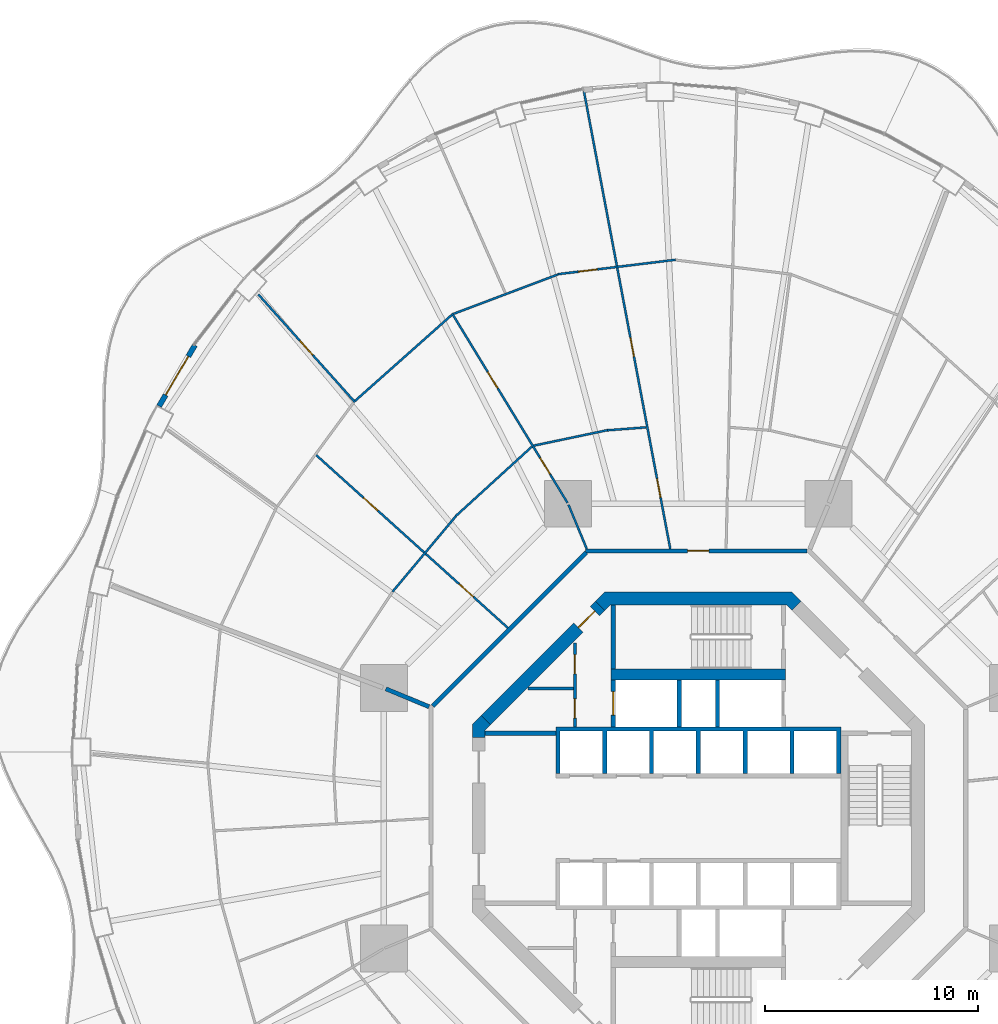
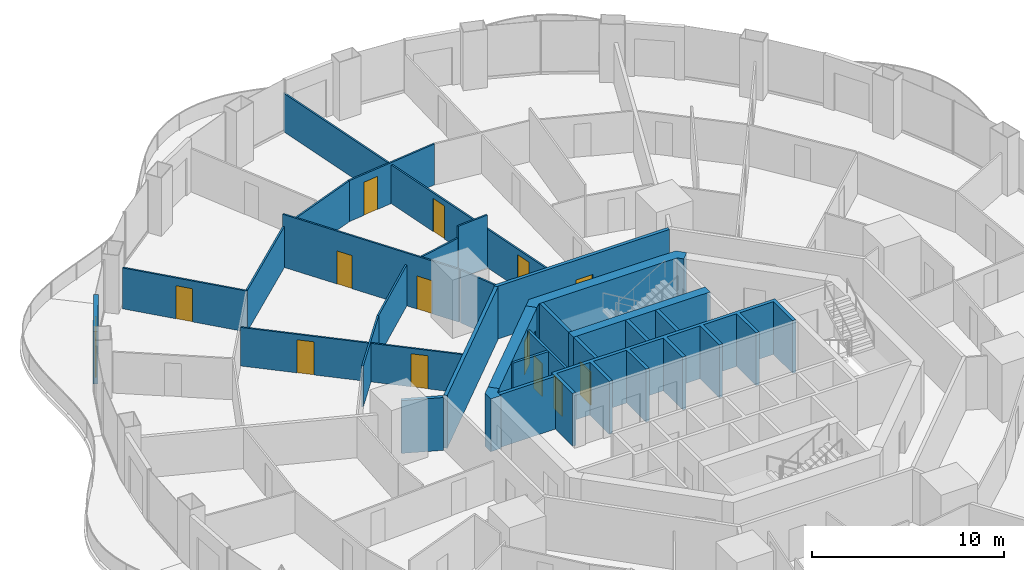
# One storey, part 18 of 23: 28 walls, 14 doors, 14 openings.
"""IFC4 building model written with IfcOpenShell, lengths in metres."""

from ifc_helpers import new_model, si_unit, direction, frame, frame_2d, origin, place, context, subcontext, project, spatial, polyline, rectangle, outline, extrude, material, layer, layer_set, type_object, element, fill, save


model = new_model("IFC4")

# Units and contexts
model_context = context("Model", 3, precision=1e-05, world=origin(), true_north=direction((0.0, 1.0)))
body_context = subcontext(model_context, "Body", "Model", "MODEL_VIEW")
ifc_project = project(units=[si_unit("LENGTHUNIT", "METRE"), si_unit("AREAUNIT", "SQUARE_METRE"), si_unit("VOLUMEUNIT", "CUBIC_METRE"), si_unit("PLANEANGLEUNIT", "RADIAN"), si_unit("MASSUNIT", "GRAM", prefix="KILO")], contexts=[model_context])

# Site, building, storey
site_placement = place(None, origin())
site = spatial("IfcSite", under=ifc_project, at=site_placement, CompositionType="ELEMENT")
building_placement = place(site_placement, origin())
building = spatial("IfcBuilding", under=site, at=building_placement, Name="Nagisa Residences", CompositionType="ELEMENT")
storey_placement = place(building_placement, frame((0.0, 0.0, 110.300048828125)))
storey = spatial("IfcBuildingStorey", under=building, at=storey_placement, Name="L27", CompositionType="ELEMENT", Elevation=110.300048828125)

# Wall
ifc_material_1 = material(Name="Gypsum board on steel studs", Category="steel")
ifc_layer_1 = layer(ifc_material_1, 0.199951171875)
ifc_layer_set_1 = layer_set([ifc_layer_1], Name="Apartment compartment wall EI60 200")
wall_type_1 = type_object("IfcWallType", Name="Apartment compartment wall EI60 200", PredefinedType="PARTITIONING", material=ifc_layer_set_1)
wall_1_placement = place(storey_placement, frame((-12.6572265625, 5.24267578125, 0.0), z_axis=(0.0, 0.0, 1.0), x_axis=(-0.923843626288, 0.382770106157, 0.0)))
element("IfcWall", 1, at=wall_1_placement, inside=storey, type_object=wall_type_1, Name="wall:L27:u02", PredefinedType="PARTITIONING", context=body_context, shape_type="SweptSolid", body=[
    extrude(rectangle(XDim=2.19921875, YDim=0.199951171875, at=frame_2d((1.099609375, 0.0))), origin(), (0.0, 0.0, 1.0), 3.349853515625),
])

# Wall, opening, door
ifc_material_2 = material(Name="Gypsum board on steel studs", Category="steel")
ifc_layer_2 = layer(ifc_material_2, 0.199951171875)
ifc_layer_set_2 = layer_set([ifc_layer_2], Name="Apartment entry wall EI60 200")
wall_type_2 = type_object("IfcWallType", Name="Apartment entry wall EI60 200", PredefinedType="PARTITIONING", material=ifc_layer_set_2)
wall_2_placement = place(storey_placement, frame((5.1044921875, 12.564697265625, 0.0), z_axis=(0.0, 0.0, 1.0), x_axis=(-1.0, 0.0, 0.0)))
wall_2 = element("IfcWall", 2, at=wall_2_placement, inside=storey, type_object=wall_type_2, Name="wall:L27:u10", PredefinedType="PARTITIONING", context=body_context, shape_type="SweptSolid", body=[
    extrude(rectangle(XDim=10.408935546875, YDim=0.199951171875, at=frame_2d((5.20458984375, 0.0))), origin(), (0.0, 0.0, 1.0), 3.349853515625),
])
opening_1_placement = place(wall_2_placement, frame((4.6044921875, 0.0, 0.0)))
opening_1 = element("IfcOpeningElement", 3, at=opening_1_placement, cuts=wall_2, Name="Opening L27-U25", PredefinedType="OPENING", context=body_context, shape_type="SweptSolid", body=[
    extrude(rectangle(XDim=1.0, YDim=2.10009765625, at=frame_2d((0.5, 1.050048828125))), frame((0.0, 0.10986328125, 0.0), z_axis=(0.0, -1.0, 0.0), x_axis=(1.0, 0.0, 0.0)), (0.0, 0.0, 1.0), 0.219970703125),
])
ifc_material_3 = material(Name="Timber fire door set", Category="wood")
door_type_1 = type_object("IfcDoorType", Name="Apartment entry door FD30S 1000x2100", OperationType="NOTDEFINED", PredefinedType="DOOR", material=ifc_material_3)
door_1_placement = place(opening_1_placement, frame((1.0, 0.0, 0.0), x_axis=(-1.0, 0.0, 0.0)))
door_1 = element("IfcDoor", 4, at=door_1_placement, inside=storey, type_object=door_type_1, Name="Entry door, Apartment 27C", OperationType="SINGLE_SWING_RIGHT", OverallHeight=2.10009765625, OverallWidth=1.0, PredefinedType="DOOR", context=body_context, shape_type="SweptSolid", body=[
    extrude(rectangle(XDim=1.0, YDim=2.10009765625, at=frame_2d((0.5, 1.050048828125))), frame((0.0, 0.02490234375, 0.0), z_axis=(0.0, -1.0, 0.0), x_axis=(1.0, 0.0, 0.0)), (0.0, 0.0, 1.0), 0.050048828125),
])
fill(opening_1, door_1)

# Wall
wall_3_placement = place(storey_placement, frame((-5.275146484375, 12.494140625, 0.0), z_axis=(0.0, 0.0, 1.0), x_axis=(-0.707106781187, -0.707106781187, 0.0)))
element("IfcWall", 5, at=wall_3_placement, inside=storey, type_object=wall_type_2, Name="wall:L27:u11", PredefinedType="PARTITIONING", context=body_context, shape_type="SweptSolid", body=[
    extrude(rectangle(XDim=10.209228515625, YDim=0.199951171875, at=frame_2d((5.1044921875, 0.0))), origin(), (0.0, 0.0, 1.0), 3.349853515625),
])

# Wall, opening, door
ifc_material_4 = material(Name="Gypsum board on steel studs", Category="steel")
ifc_layer_3 = layer(ifc_material_4, 0.10009765625)
ifc_layer_set_3 = layer_set([ifc_layer_3], Name="Apartment partition 100")
wall_type_3 = type_object("IfcWallType", Name="Apartment partition 100", PredefinedType="PARTITIONING", material=ifc_layer_set_3)
wall_4_placement = place(storey_placement, frame((-1.06640625, 26.2529296875, 0.0), z_axis=(0.0, 0.0, 1.0), x_axis=(-0.992574197255, -0.121640712523, 0.0)))
wall_4 = element("IfcWall", 6, at=wall_4_placement, inside=storey, type_object=wall_type_3, Name="wall:L27:u37", PredefinedType="PARTITIONING", context=body_context, shape_type="SweptSolid", body=[
    extrude(rectangle(XDim=5.57373046875, YDim=0.10009765625, at=frame_2d((2.786865234375, 0.0))), origin(), (0.0, 0.0, 1.0), 2.596923828125),
])
opening_2_placement = place(wall_4_placement, frame((3.705078125, 0.0, 0.0)))
opening_2 = element("IfcOpeningElement", 7, at=opening_2_placement, cuts=wall_4, Name="Opening L27-U37", PredefinedType="OPENING", context=body_context, shape_type="SweptSolid", body=[
    extrude(rectangle(XDim=0.89990234375, YDim=2.10009765625, at=frame_2d((0.449951171875, 1.050048828125))), frame((0.0, 0.06005859375, 0.0), z_axis=(0.0, -1.0, 0.0), x_axis=(1.0, 0.0, 0.0)), (0.0, 0.0, 1.0), 0.1201171875),
])
ifc_material_5 = material(Name="Timber door set", Category="wood")
door_type_2 = type_object("IfcDoorType", Name="Apartment door 900x2100", OperationType="NOTDEFINED", PredefinedType="DOOR", material=ifc_material_5)
door_2_placement = place(opening_2_placement, frame((0.89990234375, 0.0, 0.0), x_axis=(-1.0, 0.0, 0.0)))
door_2 = element("IfcDoor", 8, at=door_2_placement, inside=storey, type_object=door_type_2, Name="Door to dining room, Apartment 27C", OperationType="SINGLE_SWING_RIGHT", OverallHeight=2.10009765625, OverallWidth=0.89990234375, PredefinedType="DOOR", context=body_context, shape_type="SweptSolid", body=[
    extrude(rectangle(XDim=0.89990234375, YDim=2.10009765625, at=frame_2d((0.449951171875, 1.050048828125))), frame((0.0, 0.02490234375, 0.0), z_axis=(0.0, -1.0, 0.0), x_axis=(1.0, 0.0, 0.0)), (0.0, 0.0, 1.0), 0.050048828125),
])
fill(opening_2, door_2)

# Wall, openings, doors
wall_5_placement = place(storey_placement, frame((-1.319580078125, 12.6630859375, 0.0), z_axis=(0.0, 0.0, 1.0), x_axis=(-0.185450638662, 0.982653581187, 0.0)))
wall_5 = element("IfcWall", 9, at=wall_5_placement, inside=storey, type_object=wall_type_3, Name="wall:L27:u38", PredefinedType="PARTITIONING", context=body_context, shape_type="SweptSolid", body=[
    extrude(rectangle(XDim=22.04296875, YDim=0.10009765625, at=frame_2d((11.021484375, 0.0))), origin(), (0.0, 0.0, 1.0), 2.447021484375),
])
opening_3_placement = place(wall_5_placement, frame((2.45849609375, 0.0, 0.0)))
opening_3 = element("IfcOpeningElement", 10, at=opening_3_placement, cuts=wall_5, Name="Opening L27-U27", PredefinedType="OPENING", context=body_context, shape_type="SweptSolid", body=[
    extrude(rectangle(XDim=0.89990234375, YDim=2.10009765625, at=frame_2d((0.449951171875, 1.050048828125))), frame((0.0, 0.06005859375, 0.0), z_axis=(0.0, -1.0, 0.0), x_axis=(1.0, 0.0, 0.0)), (0.0, 0.0, 1.0), 0.1201171875),
])
opening_4_placement = place(wall_5_placement, frame((9.201904296875, 0.0, 0.0)))
opening_4 = element("IfcOpeningElement", 11, at=opening_4_placement, cuts=wall_5, Name="Opening L27-U32", PredefinedType="OPENING", context=body_context, shape_type="SweptSolid", body=[
    extrude(rectangle(XDim=0.89990234375, YDim=2.10009765625, at=frame_2d((0.449951171875, 1.050048828125))), frame((0.0, 0.06005859375, 0.0), z_axis=(0.0, -1.0, 0.0), x_axis=(1.0, 0.0, 0.0)), (0.0, 0.0, 1.0), 0.1201171875),
])
door_3_placement = place(opening_3_placement, origin())
door_3 = element("IfcDoor", 12, at=door_3_placement, inside=storey, type_object=door_type_2, Name="Door to laundry, Apartment 27C", OperationType="SINGLE_SWING_LEFT", OverallHeight=2.10009765625, OverallWidth=0.89990234375, PredefinedType="DOOR", context=body_context, shape_type="SweptSolid", body=[
    extrude(rectangle(XDim=0.89990234375, YDim=2.10009765625, at=frame_2d((0.449951171875, 1.050048828125))), frame((0.0, 0.02490234375, 0.0), z_axis=(0.0, -1.0, 0.0), x_axis=(1.0, 0.0, 0.0)), (0.0, 0.0, 1.0), 0.050048828125),
])
fill(opening_3, door_3)
door_4_placement = place(opening_4_placement, origin())
door_4 = element("IfcDoor", 13, at=door_4_placement, inside=storey, type_object=door_type_2, Name="Door to dining room, Apartment 27C", OperationType="SINGLE_SWING_RIGHT", OverallHeight=2.10009765625, OverallWidth=0.89990234375, PredefinedType="DOOR", context=body_context, shape_type="SweptSolid", body=[
    extrude(rectangle(XDim=0.89990234375, YDim=2.10009765625, at=frame_2d((0.449951171875, 1.050048828125))), frame((0.0, 0.02490234375, 0.0), z_axis=(0.0, -1.0, 0.0), x_axis=(1.0, 0.0, 0.0)), (0.0, 0.0, 1.0), 0.050048828125),
])
fill(opening_4, door_4)

# Walls
wall_6_placement = place(storey_placement, frame((-2.453369140625, 18.374267578125, 0.0), z_axis=(0.0, 0.0, 1.0), x_axis=(-0.997153681897, -0.075395853197, 0.0)))
element("IfcWall", 14, at=wall_6_placement, inside=storey, type_object=wall_type_3, Name="wall:L27:u39", PredefinedType="PARTITIONING", context=body_context, shape_type="SweptSolid", body=[
    extrude(rectangle(XDim=1.822998046875, YDim=0.10009765625, at=frame_2d((0.91162109375, 0.0))), origin(), (0.0, 0.0, 1.0), 3.349853515625),
])
wall_7_placement = place(storey_placement, frame((-4.27197265625, 18.243408203125, 0.0), z_axis=(0.0, 0.0, 1.0), x_axis=(-0.978622947907, -0.205662650547, 0.0)))
element("IfcWall", 15, at=wall_7_placement, inside=storey, type_object=wall_type_3, Name="wall:L27:u40", PredefinedType="PARTITIONING", context=body_context, shape_type="SweptSolid", body=[
    extrude(rectangle(XDim=3.53759765625, YDim=0.10009765625, at=frame_2d((1.768798828125, 0.0))), origin(), (0.0, 0.0, 1.0), 2.596923828125),
])
wall_8_placement = place(storey_placement, frame((-6.595703125, 25.5634765625, 0.0), z_axis=(0.0, 0.0, 1.0), x_axis=(-0.9356162121, -0.353018843201, 0.0)))
element("IfcWall", 16, at=wall_8_placement, inside=storey, type_object=wall_type_3, Name="wall:L27:u41", PredefinedType="PARTITIONING", context=body_context, shape_type="SweptSolid", body=[
    extrude(rectangle(XDim=5.2490234375, YDim=0.10009765625, at=frame_2d((2.62451171875, 0.0))), origin(), (0.0, 0.0, 1.0), 2.596923828125),
])
wall_9_placement = place(storey_placement, frame((-5.24267578125, 12.6572265625, 0.0), z_axis=(0.0, 0.0, 1.0), x_axis=(-0.382703272338, 0.923871314276, 0.0)))
element("IfcWall", 17, at=wall_9_placement, inside=storey, type_object=wall_type_3, Name="wall:L27:u43", PredefinedType="PARTITIONING", context=body_context, shape_type="SweptSolid", body=[
    extrude(rectangle(XDim=2.249267578125, YDim=0.10009765625, at=frame_2d((1.12451171875, 0.0))), origin(), (0.0, 0.0, 1.0), 3.349853515625),
])

# Wall, openings, doors
wall_10_placement = place(storey_placement, frame((-6.14892578125, 14.82470703125, 0.0), z_axis=(0.0, 0.0, 1.0), x_axis=(-0.520411490252, 0.853915616917, 0.0)))
wall_10 = element("IfcWall", 18, at=wall_10_placement, inside=storey, type_object=wall_type_3, Name="wall:L27:u44", PredefinedType="PARTITIONING", context=body_context, shape_type="SweptSolid", body=[
    extrude(rectangle(XDim=10.435302734375, YDim=0.10009765625, at=frame_2d((5.2177734375, 0.0))), origin(), (0.0, 0.0, 1.0), 3.349853515625),
])
opening_5_placement = place(wall_10_placement, frame((1.58154296875, 0.0, 0.0)))
opening_5 = element("IfcOpeningElement", 19, at=opening_5_placement, cuts=wall_10, Name="Opening L27-U28", PredefinedType="OPENING", context=body_context, shape_type="SweptSolid", body=[
    extrude(rectangle(XDim=0.89990234375, YDim=2.10009765625, at=frame_2d((0.449951171875, 1.050048828125))), frame((0.0, 0.06005859375, 0.0), z_axis=(0.0, -1.0, 0.0), x_axis=(1.0, 0.0, 0.0)), (0.0, 0.0, 1.0), 0.1201171875),
])
opening_6_placement = place(wall_10_placement, frame((6.3125, 0.0, 0.0)))
opening_6 = element("IfcOpeningElement", 20, at=opening_6_placement, cuts=wall_10, Name="Opening L27-U33", PredefinedType="OPENING", context=body_context, shape_type="SweptSolid", body=[
    extrude(rectangle(XDim=0.89990234375, YDim=2.10009765625, at=frame_2d((0.449951171875, 1.050048828125))), frame((0.0, 0.06005859375, 0.0), z_axis=(0.0, -1.0, 0.0), x_axis=(1.0, 0.0, 0.0)), (0.0, 0.0, 1.0), 0.1201171875),
])
door_5_placement = place(opening_5_placement, origin())
door_5 = element("IfcDoor", 21, at=door_5_placement, inside=storey, type_object=door_type_2, Name="Door to store, Apartment 27C", OperationType="SINGLE_SWING_RIGHT", OverallHeight=2.10009765625, OverallWidth=0.89990234375, PredefinedType="DOOR", context=body_context, shape_type="SweptSolid", body=[
    extrude(rectangle(XDim=0.89990234375, YDim=2.10009765625, at=frame_2d((0.449951171875, 1.050048828125))), frame((0.0, 0.02490234375, 0.0), z_axis=(0.0, -1.0, 0.0), x_axis=(1.0, 0.0, 0.0)), (0.0, 0.0, 1.0), 0.050048828125),
])
fill(opening_5, door_5)
door_6_placement = place(opening_6_placement, origin())
door_6 = element("IfcDoor", 22, at=door_6_placement, inside=storey, type_object=door_type_2, Name="Door to family room, Apartment 27C", OperationType="SINGLE_SWING_LEFT", OverallHeight=2.10009765625, OverallWidth=0.89990234375, PredefinedType="DOOR", context=body_context, shape_type="SweptSolid", body=[
    extrude(rectangle(XDim=0.89990234375, YDim=2.10009765625, at=frame_2d((0.449951171875, 1.050048828125))), frame((0.0, 0.02490234375, 0.0), z_axis=(0.0, -1.0, 0.0), x_axis=(1.0, 0.0, 0.0)), (0.0, 0.0, 1.0), 0.050048828125),
])
fill(opening_6, door_6)

# Walls
wall_11_placement = place(storey_placement, frame((-7.81982421875, 17.471923828125, 0.0), z_axis=(0.0, 0.0, 1.0), x_axis=(-0.73885182489, -0.67386792538, 0.0)))
element("IfcWall", 23, at=wall_11_placement, inside=storey, type_object=wall_type_3, Name="wall:L27:u45", PredefinedType="PARTITIONING", context=body_context, shape_type="SweptSolid", body=[
    extrude(rectangle(XDim=4.846435546875, YDim=0.10009765625, at=frame_2d((2.42333984375, 0.0))), origin(), (0.0, 0.0, 1.0), 2.596923828125),
])
wall_12_placement = place(storey_placement, frame((-11.5908203125, 23.65966796875, 0.0), z_axis=(0.0, 0.0, 1.0), x_axis=(-0.747429278403, -0.664341383466, 0.0)))
element("IfcWall", 24, at=wall_12_placement, inside=storey, type_object=wall_type_3, Name="wall:L27:u46", PredefinedType="PARTITIONING", context=body_context, shape_type="SweptSolid", body=[
    extrude(rectangle(XDim=6.073486328125, YDim=0.10009765625, at=frame_2d((3.03662109375, 0.0))), origin(), (0.0, 0.0, 1.0), 2.596923828125),
])
wall_13_placement = place(storey_placement, frame((-11.39599609375, 14.20166015625, 0.0), z_axis=(0.0, 0.0, 1.0), x_axis=(-0.642475660273, -0.766306091557, 0.0)))
element("IfcWall", 25, at=wall_13_placement, inside=storey, type_object=wall_type_3, Name="wall:L27:u47", PredefinedType="PARTITIONING", context=body_context, shape_type="SweptSolid", body=[
    extrude(rectangle(XDim=4.63720703125, YDim=0.10009765625, at=frame_2d((2.318603515625, 0.0))), origin(), (0.0, 0.0, 1.0), 2.596923828125),
])

# Wall, opening, door
wall_14_placement = place(storey_placement, frame((-16.13427734375, 19.554443359375, 0.0), z_axis=(0.0, 0.0, 1.0), x_axis=(-0.667985610263, 0.74417418961, 0.0)))
wall_14 = element("IfcWall", 26, at=wall_14_placement, inside=storey, type_object=wall_type_3, Name="wall:L27:u48", PredefinedType="PARTITIONING", context=body_context, shape_type="SweptSolid", body=[
    extrude(rectangle(XDim=6.809326171875, YDim=0.10009765625, at=frame_2d((3.40478515625, 0.0))), origin(), (0.0, 0.0, 1.0), 2.596923828125),
])
opening_7_placement = place(wall_14_placement, frame((2.979736328125, 0.0, 0.0)))
opening_7 = element("IfcOpeningElement", 27, at=opening_7_placement, cuts=wall_14, Name="Opening L27-U39", PredefinedType="OPENING", context=body_context, shape_type="SweptSolid", body=[
    extrude(rectangle(XDim=0.89990234375, YDim=2.10009765625, at=frame_2d((0.449951171875, 1.050048828125))), frame((0.0, 0.06005859375, 0.0), z_axis=(0.0, -1.0, 0.0), x_axis=(1.0, 0.0, 0.0)), (0.0, 0.0, 1.0), 0.1201171875),
])
door_7_placement = place(opening_7_placement, origin())
door_7 = element("IfcDoor", 28, at=door_7_placement, inside=storey, type_object=door_type_2, Name="Door to dining room, Apartment 27C", OperationType="SINGLE_SWING_LEFT", OverallHeight=2.10009765625, OverallWidth=0.89990234375, PredefinedType="DOOR", context=body_context, shape_type="SweptSolid", body=[
    extrude(rectangle(XDim=0.89990234375, YDim=2.10009765625, at=frame_2d((0.449951171875, 1.050048828125))), frame((0.0, 0.02490234375, 0.0), z_axis=(0.0, -1.0, 0.0), x_axis=(1.0, 0.0, 0.0)), (0.0, 0.0, 1.0), 0.050048828125),
])
fill(opening_7, door_7)

# Wall, openings, doors
wall_15_placement = place(storey_placement, frame((-8.958984375, 8.95166015625, 0.0), z_axis=(0.0, 0.0, 1.0), x_axis=(-0.742679904999, 0.669646592398, 0.0)))
wall_15 = element("IfcWall", 29, at=wall_15_placement, inside=storey, type_object=wall_type_3, Name="wall:L27:u50", PredefinedType="PARTITIONING", context=body_context, shape_type="SweptSolid", body=[
    extrude(rectangle(XDim=12.121337890625, YDim=0.10009765625, at=frame_2d((6.060546875, 0.0))), origin(), (0.0, 0.0, 1.0), 2.447021484375),
])
opening_8_placement = place(wall_15_placement, frame((2.172119140625, 0.0, 0.0)))
opening_8 = element("IfcOpeningElement", 30, at=opening_8_placement, cuts=wall_15, Name="Opening L27-U29", PredefinedType="OPENING", context=body_context, shape_type="SweptSolid", body=[
    extrude(rectangle(XDim=0.89990234375, YDim=2.10009765625, at=frame_2d((0.449951171875, 1.050048828125))), frame((0.0, 0.06005859375, 0.0), z_axis=(0.0, -1.0, 0.0), x_axis=(1.0, 0.0, 0.0)), (0.0, 0.0, 1.0), 0.1201171875),
])
opening_9_placement = place(wall_15_placement, frame((8.232666015625, 0.0, 0.0)))
opening_9 = element("IfcOpeningElement", 31, at=opening_9_placement, cuts=wall_15, Name="Opening L27-U34", PredefinedType="OPENING", context=body_context, shape_type="SweptSolid", body=[
    extrude(rectangle(XDim=0.89990234375, YDim=2.10009765625, at=frame_2d((0.449951171875, 1.050048828125))), frame((0.0, 0.06005859375, 0.0), z_axis=(0.0, -1.0, 0.0), x_axis=(1.0, 0.0, 0.0)), (0.0, 0.0, 1.0), 0.1201171875),
])
door_8_placement = place(opening_8_placement, origin())
door_8 = element("IfcDoor", 32, at=door_8_placement, inside=storey, type_object=door_type_2, Name="Door to laundry, Apartment 27C", OperationType="SINGLE_SWING_LEFT", OverallHeight=2.10009765625, OverallWidth=0.89990234375, PredefinedType="DOOR", context=body_context, shape_type="SweptSolid", body=[
    extrude(rectangle(XDim=0.89990234375, YDim=2.10009765625, at=frame_2d((0.449951171875, 1.050048828125))), frame((0.0, 0.02490234375, 0.0), z_axis=(0.0, -1.0, 0.0), x_axis=(1.0, 0.0, 0.0)), (0.0, 0.0, 1.0), 0.050048828125),
])
fill(opening_8, door_8)
door_9_placement = place(opening_9_placement, origin())
door_9 = element("IfcDoor", 33, at=door_9_placement, inside=storey, type_object=door_type_2, Name="Door to dining room, Apartment 27C", OperationType="SINGLE_SWING_RIGHT", OverallHeight=2.10009765625, OverallWidth=0.89990234375, PredefinedType="DOOR", context=body_context, shape_type="SweptSolid", body=[
    extrude(rectangle(XDim=0.89990234375, YDim=2.10009765625, at=frame_2d((0.449951171875, 1.050048828125))), frame((0.0, 0.02490234375, 0.0), z_axis=(0.0, -1.0, 0.0), x_axis=(1.0, 0.0, 0.0)), (0.0, 0.0, 1.0), 0.050048828125),
])
fill(opening_9, door_9)

# Wall, opening, door
ifc_material_6 = material(Name="Precast concrete C40/50", Category="concrete")
ifc_layer_4 = layer(ifc_material_6, 0.25)
ifc_layer_set_4 = layer_set([ifc_layer_4], Name="BALCONY DOOR WALL 250")
wall_type_4 = type_object("IfcWallType", Name="BALCONY DOOR WALL 250", PredefinedType="SOLIDWALL", material=ifc_layer_set_4)
wall_16_placement = place(storey_placement, frame((-25.34765625, 19.372314453125, 0.0), z_axis=(0.0, 0.0, 1.0), x_axis=(0.506352525095, 0.86232657406, 0.0)))
wall_16 = element("IfcWall", 34, at=wall_16_placement, inside=storey, type_object=wall_type_4, Name="wall:L27:bay19", PredefinedType="SOLIDWALL", context=body_context, shape_type="SweptSolid", body=[
    extrude(rectangle(XDim=3.324951171875, YDim=0.25, at=frame_2d((1.66259765625, 0.0))), origin(), (0.0, 0.0, 1.0), 3.349853515625),
])
opening_10_placement = place(wall_16_placement, frame((0.6123046875, 0.0, 0.0)))
opening_10 = element("IfcOpeningElement", 35, at=opening_10_placement, cuts=wall_16, Name="Opening BD-L27-07", PredefinedType="OPENING", context=body_context, shape_type="SweptSolid", body=[
    extrude(rectangle(XDim=2.10009765625, YDim=2.39990234375, at=frame_2d((1.050048828125, 1.199951171875))), frame((0.0, 0.135009765625, 0.0), z_axis=(0.0, -1.0, 0.0), x_axis=(1.0, 0.0, 0.0)), (0.0, 0.0, 1.0), 0.27001953125),
])
ifc_material_7 = material(Name="Aluminium and clear glass", Category="aluminium")
door_type_3 = type_object("IfcDoorType", Name="BALCONY SLIDING DOOR 2100x2400", OperationType="SLIDING_TO_LEFT", PredefinedType="DOOR", material=ifc_material_7)
door_10_placement = place(opening_10_placement, origin())
door_10 = element("IfcDoor", 36, at=door_10_placement, inside=storey, type_object=door_type_3, Name="door:L27:bay19", OperationType="SLIDING_TO_LEFT", OverallHeight=2.39990234375, OverallWidth=2.10009765625, PredefinedType="DOOR", context=body_context, shape_type="SweptSolid", body=[
    extrude(rectangle(XDim=2.10009765625, YDim=2.39990234375, at=frame_2d((1.050048828125, 1.199951171875))), frame((0.0, 0.02490234375, 0.0), z_axis=(0.0, -1.0, 0.0), x_axis=(1.0, 0.0, 0.0)), (0.0, 0.0, 1.0), 0.050048828125),
])
fill(opening_10, door_10)

# Wall, openings, doors
ifc_material_8 = material(Name="Gypsum board on steel studs", Category="steel")
ifc_layer_5 = layer(ifc_material_8, 0.14990234375)
ifc_layer_set_5 = layer_set([ifc_layer_5], Name="Core partition 150")
wall_type_5 = type_object("IfcWallType", Name="Core partition 150", PredefinedType="PARTITIONING", material=ifc_layer_set_5)
wall_17_placement = place(storey_placement, frame((-5.800048828125, 4.300048828125, 0.0), z_axis=(0.0, 0.0, 1.0), x_axis=(0.0, 1.0, 0.0)))
wall_17 = element("IfcWall", 37, at=wall_17_placement, inside=storey, type_object=wall_type_5, Name="wall:L27:NWp", PredefinedType="PARTITIONING", context=body_context, shape_type="SweptSolid", body=[
    extrude(rectangle(XDim=3.927001953125, YDim=0.14990234375, at=frame_2d((1.96337890625, 0.0))), origin(), (0.0, 0.0, 1.0), 3.349853515625),
])
opening_11_placement = place(wall_17_placement, frame((0.41259765625, 0.0, 0.0)))
opening_11 = element("IfcOpeningElement", 38, at=opening_11_placement, cuts=wall_17, Name="Opening L27-C12", PredefinedType="OPENING", context=body_context, shape_type="SweptSolid", body=[
    extrude(rectangle(XDim=0.89990234375, YDim=2.10009765625, at=frame_2d((0.449951171875, 1.050048828125))), frame((0.0, 0.0849609375, 0.0), z_axis=(0.0, -1.0, 0.0), x_axis=(1.0, 0.0, 0.0)), (0.0, 0.0, 1.0), 0.169921875),
])
opening_12_placement = place(wall_17_placement, frame((2.488525390625, 0.0, 0.0)))
opening_12 = element("IfcOpeningElement", 39, at=opening_12_placement, cuts=wall_17, Name="Opening L27-C13", PredefinedType="OPENING", context=body_context, shape_type="SweptSolid", body=[
    extrude(rectangle(XDim=0.89990234375, YDim=2.10009765625, at=frame_2d((0.449951171875, 1.050048828125))), frame((0.0, 0.0849609375, 0.0), z_axis=(0.0, -1.0, 0.0), x_axis=(1.0, 0.0, 0.0)), (0.0, 0.0, 1.0), 0.169921875),
])
ifc_material_9 = material(Name="Steel fire door", Category="steel")
door_type_4 = type_object("IfcDoorType", Name="Fire door EI30 900x2100 single swing", OperationType="NOTDEFINED", PredefinedType="DOOR", material=ifc_material_9)
door_11_placement = place(opening_11_placement, origin())
door_11 = element("IfcDoor", 40, at=door_11_placement, inside=storey, type_object=door_type_4, Name="Package room door L27", OperationType="SINGLE_SWING_LEFT", OverallHeight=2.10009765625, OverallWidth=0.89990234375, PredefinedType="DOOR", context=body_context, shape_type="SweptSolid", body=[
    extrude(rectangle(XDim=0.89990234375, YDim=2.10009765625, at=frame_2d((0.449951171875, 1.050048828125))), frame((0.0, 0.02490234375, 0.0), z_axis=(0.0, -1.0, 0.0), x_axis=(1.0, 0.0, 0.0)), (0.0, 0.0, 1.0), 0.050048828125),
])
fill(opening_11, door_11)
door_12_placement = place(opening_12_placement, origin())
door_12 = element("IfcDoor", 41, at=door_12_placement, inside=storey, type_object=door_type_4, Name="Valet store door L27", OperationType="SINGLE_SWING_LEFT", OverallHeight=2.10009765625, OverallWidth=0.89990234375, PredefinedType="DOOR", context=body_context, shape_type="SweptSolid", body=[
    extrude(rectangle(XDim=0.89990234375, YDim=2.10009765625, at=frame_2d((0.449951171875, 1.050048828125))), frame((0.0, 0.02490234375, 0.0), z_axis=(0.0, -1.0, 0.0), x_axis=(1.0, 0.0, 0.0)), (0.0, 0.0, 1.0), 0.050048828125),
])
fill(opening_12, door_12)

# Walls
wall_18_placement = place(storey_placement, frame((-8.0009765625, 6.10009765625, 0.0), z_axis=(0.0, 0.0, 1.0), x_axis=(1.0, 0.0, 0.0)))
element("IfcWall", 42, at=wall_18_placement, inside=storey, type_object=wall_type_5, Name="wall:L27:NWq", PredefinedType="PARTITIONING", context=body_context, shape_type="SweptSolid", body=[
    extrude(rectangle(XDim=2.1259765625, YDim=0.14990234375, at=frame_2d((1.06298828125, 0.0))), origin(), (0.0, 0.0, 1.0), 3.349853515625),
])
ifc_material_10 = material(Name="Gypsum board on steel studs", Category="steel")
ifc_layer_6 = layer(ifc_material_10, 0.199951171875)
ifc_layer_set_6 = layer_set([ifc_layer_6], Name="Core partition 200")
wall_type_6 = type_object("IfcWallType", Name="Core partition 200", PredefinedType="PARTITIONING", material=ifc_layer_set_6)
wall_19_placement = place(storey_placement, frame((-10.024658203125, 4.0, 0.0), z_axis=(0.0, 0.0, 1.0), x_axis=(1.0, 0.0, 0.0)))
element("IfcWall", 43, at=wall_19_placement, inside=storey, type_object=wall_type_6, Name="wall:L27:PNW", PredefinedType="PARTITIONING", context=body_context, shape_type="SweptSolid", body=[
    extrude(rectangle(XDim=3.32470703125, YDim=0.199951171875, at=frame_2d((1.662353515625, 0.0))), origin(), (0.0, 0.0, 1.0), 3.349853515625),
])

# Wall, opening, door
ifc_material_11 = material(Name="Concrete C60", Category="concrete")
ifc_layer_7 = layer(ifc_material_11, 0.60009765625)
ifc_layer_set_7 = layer_set([ifc_layer_7], Name="Core shear wall 600")
wall_type_7 = type_object("IfcWallType", Name="Core shear wall 600", PredefinedType="SHEAR", material=ifc_layer_set_7)
wall_20_placement = place(storey_placement, frame((-4.613037109375, 9.98828125, 0.0), z_axis=(0.0, 0.0, 1.0), x_axis=(-0.707106781187, -0.707106781187, 0.0)))
wall_20 = element("IfcWall", 44, at=wall_20_placement, inside=storey, type_object=wall_type_7, Name="wall:L27:core:flat3", PredefinedType="SHEAR", context=body_context, shape_type="SweptSolid", body=[
    extrude(rectangle(XDim=7.601806640625, YDim=0.60009765625, at=frame_2d((3.80078125, 0.0))), origin(), (0.0, 0.0, 1.0), 3.349853515625),
])
opening_13_placement = place(wall_20_placement, frame((0.350830078125, 0.0, 0.0)))
opening_13 = element("IfcOpeningElement", 45, at=opening_13_placement, cuts=wall_20, Name="Opening L27-C21", PredefinedType="OPENING", context=body_context, shape_type="SweptSolid", body=[
    extrude(rectangle(XDim=1.10009765625, YDim=2.10009765625, at=frame_2d((0.550048828125, 1.050048828125))), frame((0.0, 0.31005859375, 0.0), z_axis=(0.0, -1.0, 0.0), x_axis=(1.0, 0.0, 0.0)), (0.0, 0.0, 1.0), 0.6201171875),
])
ifc_material_12 = material(Name="Steel fire door", Category="steel")
door_type_5 = type_object("IfcDoorType", Name="Fire door EI60 1100x2100 single swing", OperationType="NOTDEFINED", PredefinedType="DOOR", material=ifc_material_12)
door_13_placement = place(opening_13_placement, origin())
door_13 = element("IfcDoor", 46, at=door_13_placement, inside=storey, type_object=door_type_5, Name="Service lobby door L27", OperationType="SINGLE_SWING_RIGHT", OverallHeight=2.10009765625, OverallWidth=1.10009765625, PredefinedType="DOOR", context=body_context, shape_type="SweptSolid", body=[
    extrude(rectangle(XDim=1.10009765625, YDim=2.10009765625, at=frame_2d((0.550048828125, 1.050048828125))), frame((0.0, 0.02490234375, 0.0), z_axis=(0.0, -1.0, 0.0), x_axis=(1.0, 0.0, 0.0)), (0.0, 0.0, 1.0), 0.050048828125),
])
fill(opening_13, door_13)

# Walls
wall_21_placement = place(storey_placement, origin())
element("IfcWall", 47, at=wall_21_placement, inside=storey, type_object=wall_type_7, Name="wall:L27:core:pier3", PredefinedType="SHEAR", context=body_context, shape_type="SweptSolid", body=[
    extrude(outline(polyline([(-10.200439453125, 4.8251953125), (-9.776123046875, 4.40087890625), (-10.024658203125, 4.15234375), (-10.024658203125, 3.80078125), (-10.62451171875, 3.80078125), (-10.62451171875, 4.40087890625), (-10.200439453125, 4.8251953125)])), origin(), (0.0, 0.0, 1.0), 3.349853515625),
])
wall_22_placement = place(storey_placement, origin())
element("IfcWall", 48, at=wall_22_placement, inside=storey, type_object=wall_type_7, Name="wall:L27:core:flat2", PredefinedType="SHEAR", context=body_context, shape_type="SweptSolid", body=[
    extrude(outline(polyline([(-4.15234375, 10.024658203125), (-4.40087890625, 9.776123046875), (-4.8251953125, 10.200439453125), (-4.40087890625, 10.62451171875), (4.40087890625, 10.62451171875), (4.8251953125, 10.200439453125), (4.40087890625, 9.776123046875), (4.15234375, 10.024658203125), (-4.15234375, 10.024658203125)])), origin(), (0.0, 0.0, 1.0), 3.349853515625),
])

# Wall, opening, door
ifc_material_13 = material(Name="Concrete C60", Category="concrete")
ifc_layer_8 = layer(ifc_material_13, 0.199951171875)
ifc_layer_set_8 = layer_set([ifc_layer_8], Name="Lift shaft wall 200")
wall_type_8 = type_object("IfcWallType", Name="Lift shaft wall 200", PredefinedType="SOLIDWALL", material=ifc_layer_set_8)
wall_23_placement = place(storey_placement, frame((-4.0, 4.300048828125, 0.0), z_axis=(0.0, 0.0, 1.0), x_axis=(0.0, 1.0, 0.0)))
wall_23 = element("IfcWall", 49, at=wall_23_placement, inside=storey, type_object=wall_type_8, Name="wall:L27:Nb4", PredefinedType="SOLIDWALL", context=body_context, shape_type="SweptSolid", body=[
    extrude(rectangle(XDim=2.199951171875, YDim=0.199951171875, at=frame_2d((1.10009765625, 0.0))), origin(), (0.0, 0.0, 1.0), 3.349853515625),
])
opening_14_placement = place(wall_23_placement, frame((0.550048828125, 0.0, 0.0)))
opening_14 = element("IfcOpeningElement", 50, at=opening_14_placement, cuts=wall_23, Name="Opening L27-C08", PredefinedType="OPENING", context=body_context, shape_type="SweptSolid", body=[
    extrude(rectangle(XDim=1.10009765625, YDim=2.10009765625, at=frame_2d((0.550048828125, 1.050048828125))), frame((0.0, 0.10986328125, 0.0), z_axis=(0.0, -1.0, 0.0), x_axis=(1.0, 0.0, 0.0)), (0.0, 0.0, 1.0), 0.219970703125),
])
ifc_material_14 = material(Name="Stainless steel", Category="steel")
door_type_6 = type_object("IfcDoorType", Name="Lift landing door 1100x2100", OperationType="DOUBLE_DOOR_SLIDING", PredefinedType="DOOR", material=ifc_material_14)
door_14_placement = place(opening_14_placement, origin())
door_14 = element("IfcDoor", 51, at=door_14_placement, inside=storey, type_object=door_type_6, Name="Landing door SV L27", OperationType="DOUBLE_DOOR_SLIDING", OverallHeight=2.10009765625, OverallWidth=1.10009765625, PredefinedType="DOOR", context=body_context, shape_type="SweptSolid", body=[
    extrude(rectangle(XDim=1.10009765625, YDim=2.10009765625, at=frame_2d((0.550048828125, 1.050048828125))), frame((0.0, 0.02490234375, 0.0), z_axis=(0.0, -1.0, 0.0), x_axis=(1.0, 0.0, 0.0)), (0.0, 0.0, 1.0), 0.050048828125),
])
fill(opening_14, door_14)

# Walls
for number, where, z_axis, x_axis, name in (
    (52, (-0.89990234375, 4.300048828125, 0.0), (0.0, 0.0, 1.0), (0.0, 1.0, 0.0), "wall:L27:Nb1"),
    (53, (0.89990234375, 4.300048828125, 0.0), (0.0, 0.0, 1.0), (0.0, 1.0, 0.0), "wall:L27:Nb2"),
):
    element("IfcWall", number, at=place(storey_placement, frame(where, z_axis=z_axis, x_axis=x_axis)), inside=storey, type_object=wall_type_8, Name=name, PredefinedType="SOLIDWALL", context=body_context, shape_type="SweptSolid", body=[
        extrude(rectangle(XDim=2.199951171875, YDim=0.199951171875, at=frame_2d((1.10009765625, 0.0))), origin(), (0.0, 0.0, 1.0), 3.349853515625),
    ])
wall_24_placement = place(storey_placement, origin())
element("IfcWall", 54, at=wall_24_placement, inside=storey, type_object=wall_type_8, Name="wall:L27:Nback", PredefinedType="SOLIDWALL", context=body_context, shape_type="SweptSolid", body=[
    extrude(outline(polyline([(-6.5, 2.10009765625), (-6.699951171875, 2.10009765625), (-6.699951171875, 4.300048828125), (6.699951171875, 4.300048828125), (6.699951171875, 2.10009765625), (6.5, 2.10009765625), (6.5, 4.10009765625), (4.5, 4.10009765625), (4.5, 2.10009765625), (4.300048828125, 2.10009765625), (4.300048828125, 4.10009765625), (2.300048828125, 4.10009765625), (2.300048828125, 2.10009765625), (2.10009765625, 2.10009765625), (2.10009765625, 4.10009765625), (0.10009765625, 4.10009765625), (0.10009765625, 2.10009765625), (-0.10009765625, 2.10009765625), (-0.10009765625, 4.10009765625), (-2.10009765625, 4.10009765625), (-2.10009765625, 2.10009765625), (-2.300048828125, 2.10009765625), (-2.300048828125, 4.10009765625), (-4.300048828125, 4.10009765625), (-4.300048828125, 2.10009765625), (-4.5, 2.10009765625), (-4.5, 4.10009765625), (-6.5, 4.10009765625), (-6.5, 2.10009765625)])), origin(), (0.0, 0.0, 1.0), 3.349853515625),
])
ifc_material_15 = material(Name="Concrete C60", Category="concrete")
ifc_layer_9 = layer(ifc_material_15, 0.199951171875)
ifc_layer_set_9 = layer_set([ifc_layer_9], Name="Stair enclosure wall 200")
wall_type_9 = type_object("IfcWallType", Name="Stair enclosure wall 200", PredefinedType="SOLIDWALL", material=ifc_layer_set_9)
wall_25_placement = place(storey_placement, origin())
element("IfcWall", 55, at=wall_25_placement, inside=storey, type_object=wall_type_9, Name="wall:L27:SN_w", PredefinedType="SOLIDWALL", context=body_context, shape_type="SweptSolid", body=[
    extrude(outline(polyline([(-3.89990234375, 7.024658203125), (-4.10009765625, 7.024658203125), (-4.10009765625, 10.024658203125), (-3.89990234375, 10.024658203125), (-3.89990234375, 7.024658203125)])), origin(), (0.0, 0.0, 1.0), 3.349853515625),
])
wall_26_placement = place(storey_placement, origin())
element("IfcWall", 56, at=wall_26_placement, inside=storey, type_object=wall_type_9, Name="wall:L27:SN_s", PredefinedType="SOLIDWALL", context=body_context, shape_type="SweptSolid", body=[
    extrude(outline(polyline([(4.10009765625, 6.5), (-4.10009765625, 6.5), (-4.10009765625, 7.024658203125), (4.10009765625, 7.024658203125), (4.10009765625, 6.5)])), origin(), (0.0, 0.0, 1.0), 3.349853515625),
])

save(model, "model.ifc")
